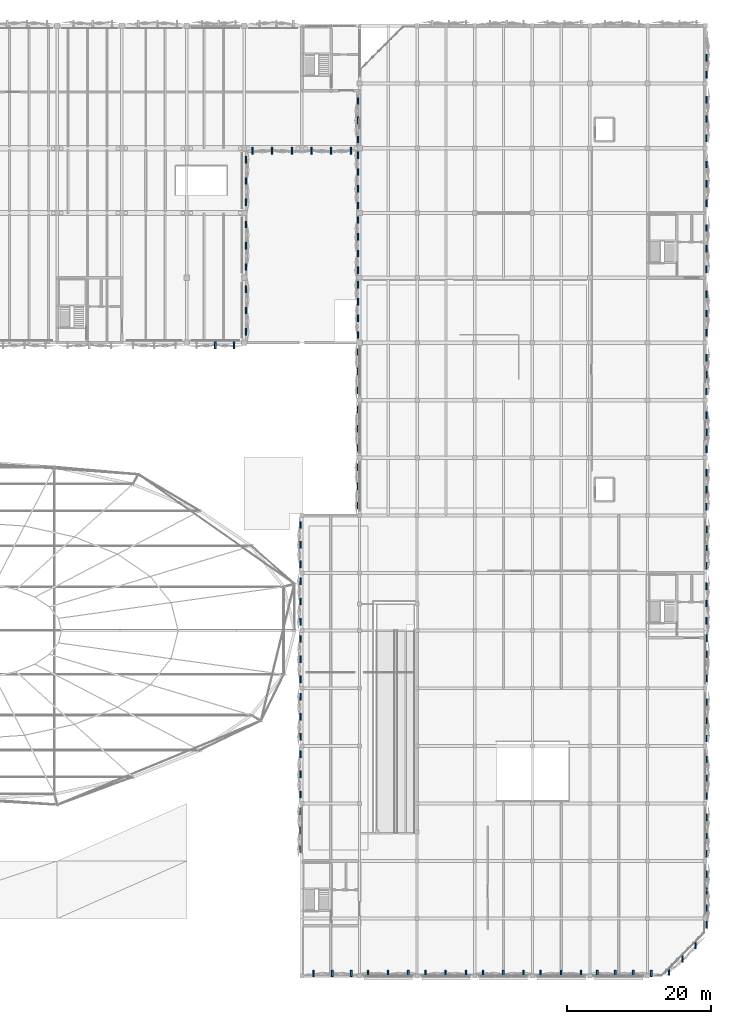
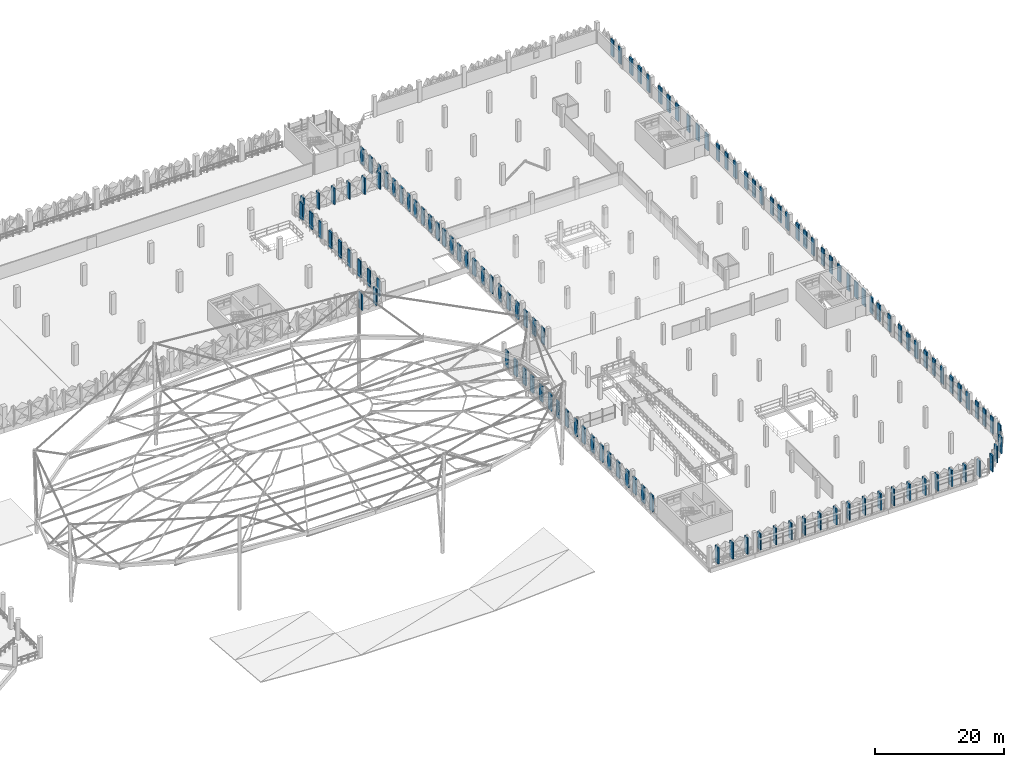
# One storey, part 59 of 96: 126 discrete accessories.
"""IFC4 building model written with IfcOpenShell, lengths in metres."""

from ifc_helpers import new_model, si_unit, derived_unit, direction, frame, origin, origin_2d, place, context, subcontext, project, spatial, rectangle, extrude, material, type_object, element, save


model = new_model("IFC4")

# Units and contexts
model_context = context("Model", 3, precision=1e-05, world=origin(), true_north=direction((0.0, 1.0)))
body_context = subcontext(model_context, "Body", "Model", "MODEL_VIEW")
ifc_project = project(units=[si_unit("LENGTHUNIT", "METRE"), si_unit("AREAUNIT", "SQUARE_METRE"), si_unit("VOLUMEUNIT", "CUBIC_METRE"), si_unit("PLANEANGLEUNIT", "RADIAN"), si_unit("MASSUNIT", "GRAM", prefix="KILO"), si_unit("THERMODYNAMICTEMPERATUREUNIT", "KELVIN"), derived_unit("THERMALTRANSMITTANCEUNIT", [(si_unit("POWERUNIT", "WATT"), 1), (si_unit("AREAUNIT", "SQUARE_METRE"), -1), (si_unit("THERMODYNAMICTEMPERATUREUNIT", "KELVIN"), -1)])], contexts=[model_context])

# Site, building, storey
site_placement = place(None, origin())
site = spatial("IfcSite", under=ifc_project, at=site_placement, CompositionType="ELEMENT")
building_placement = place(site_placement, origin())
building = spatial("IfcBuilding", under=site, at=building_placement, Name="Haiyu Intermodal Mobility Hub", CompositionType="ELEMENT")
storey_placement = place(building_placement, frame((0.0, 0.0, 9.5)))
storey = spatial("IfcBuildingStorey", under=building, at=storey_placement, Name="L02", CompositionType="ELEMENT", Elevation=9.5)

# Discrete accessories
ifc_material = material(Name="Steel Q355C", Category="steel")
discrete_accessory_type = type_object("IfcDiscreteAccessoryType", Name="ACC-BK02", PredefinedType="BRACKET", material=ifc_material)
for number, where, z_axis, x_axis, name in (
    (1, (146.199951171875, 105.512939453125, 0.050048828125), (0.0, 0.0, 1.0), (1.0, 0.0, 0.0), "BRK-PYR-0665"),
    (2, (146.199951171875, 108.4599609375, 0.050048828125), (0.0, 0.0, 1.0), (1.0, 0.0, 0.0), "BRK-PYR-0668"),
    (3, (146.199951171875, 111.406982421875, 0.050048828125), (0.0, 0.0, 1.0), (1.0, 0.0, 0.0), "BRK-PYR-0669"),
    (4, (146.199951171875, 114.512939453125, 0.050048828125), (0.0, 0.0, 1.0), (1.0, 0.0, 0.0), "BRK-PYR-0672"),
    (5, (146.199951171875, 117.4599609375, 0.050048828125), (0.0, 0.0, 1.0), (1.0, 0.0, 0.0), "BRK-PYR-0675"),
    (6, (146.199951171875, 120.406982421875, 0.050048828125), (0.0, 0.0, 1.0), (1.0, 0.0, 0.0), "BRK-PYR-0676"),
    (7, (146.199951171875, 123.512939453125, 0.050048828125), (0.0, 0.0, 1.0), (1.0, 0.0, 0.0), "BRK-PYR-0679"),
    (8, (146.199951171875, 126.4599609375, 0.050048828125), (0.0, 0.0, 1.0), (1.0, 0.0, 0.0), "BRK-PYR-0682"),
    (9, (146.199951171875, 129.406982421875, 0.050048828125), (0.0, 0.0, 1.0), (1.0, 0.0, 0.0), "BRK-PYR-0683"),
    (10, (141.9599609375, 103.659912109375, 0.050048828125), (0.0, 0.0, 1.0), (1.0, 0.0, 0.0), "BRK-PYR-0992"),
    (11, (144.572998046875, 103.659912109375, 0.050048828125), (0.0, 0.0, 1.0), (1.0, 0.0, 0.0), "BRK-PYR-0993"),
    (12, (210.199951171875, 81.212890625, 0.050048828125), (0.0, 0.0, 1.0), (1.0, 0.0, 0.0), "BRK-PYR-1108"),
    (13, (210.199951171875, 83.56005859375, 0.050048828125), (0.0, 0.0, 1.0), (1.0, 0.0, 0.0), "BRK-PYR-1111"),
    (14, (210.199951171875, 85.906982421875, 0.050048828125), (0.0, 0.0, 1.0), (1.0, 0.0, 0.0), "BRK-PYR-1112"),
    (15, (210.199951171875, 89.212890625, 0.050048828125), (0.0, 0.0, 1.0), (1.0, 0.0, 0.0), "BRK-PYR-1115"),
    (16, (210.199951171875, 91.56005859375, 0.050048828125), (0.0, 0.0, 1.0), (1.0, 0.0, 0.0), "BRK-PYR-1118"),
    (17, (210.199951171875, 93.906982421875, 0.050048828125), (0.0, 0.0, 1.0), (1.0, 0.0, 0.0), "BRK-PYR-1119"),
    (18, (210.199951171875, 97.212890625, 0.050048828125), (0.0, 0.0, 1.0), (1.0, 0.0, 0.0), "BRK-PYR-1122"),
    (19, (210.199951171875, 99.56005859375, 0.050048828125), (0.0, 0.0, 1.0), (1.0, 0.0, 0.0), "BRK-PYR-1125"),
    (20, (210.199951171875, 101.906982421875, 0.050048828125), (0.0, 0.0, 1.0), (1.0, 0.0, 0.0), "BRK-PYR-1126"),
    (21, (210.199951171875, 105.3798828125, 0.050048828125), (0.0, 0.0, 1.0), (1.0, 0.0, 0.0), "BRK-PYR-1129"),
    (22, (210.199951171875, 108.06005859375, 0.050048828125), (0.0, 0.0, 1.0), (1.0, 0.0, 0.0), "BRK-PYR-1132"),
    (23, (210.199951171875, 110.739990234375, 0.050048828125), (0.0, 0.0, 1.0), (1.0, 0.0, 0.0), "BRK-PYR-1133"),
    (24, (210.199951171875, 123.3798828125, 0.050048828125), (0.0, 0.0, 1.0), (1.0, 0.0, 0.0), "BRK-PYR-1136"),
    (25, (210.199951171875, 126.06005859375, 0.050048828125), (0.0, 0.0, 1.0), (1.0, 0.0, 0.0), "BRK-PYR-1139"),
    (26, (210.199951171875, 128.739990234375, 0.050048828125), (0.0, 0.0, 1.0), (1.0, 0.0, 0.0), "BRK-PYR-1140"),
    (27, (210.199951171875, 132.3798828125, 0.050048828125), (0.0, 0.0, 1.0), (1.0, 0.0, 0.0), "BRK-PYR-1143"),
    (28, (210.199951171875, 135.06005859375, 0.050048828125), (0.0, 0.0, 1.0), (1.0, 0.0, 0.0), "BRK-PYR-1146"),
    (29, (210.199951171875, 137.739990234375, 0.050048828125), (0.0, 0.0, 1.0), (1.0, 0.0, 0.0), "BRK-PYR-1147"),
    (30, (210.199951171875, 141.212890625, 0.050048828125), (0.0, 0.0, 1.0), (1.0, 0.0, 0.0), "BRK-PYR-1150"),
    (31, (210.199951171875, 143.56005859375, 0.050048828125), (0.0, 0.0, 1.0), (1.0, 0.0, 0.0), "BRK-PYR-1153"),
    (32, (210.199951171875, 62.9599609375, 0.050048828125), (0.0, 0.0, 1.0), (1.0, 0.0, 0.0), "BRK-PYR-1370"),
    (33, (210.199951171875, 65.360107421875, 0.050048828125), (0.0, 0.0, 1.0), (1.0, 0.0, 0.0), "BRK-PYR-1373"),
    (34, (210.199951171875, 67.760009765625, 0.050048828125), (0.0, 0.0, 1.0), (1.0, 0.0, 0.0), "BRK-PYR-1376"),
    (35, (210.199951171875, 70.159912109375, 0.050048828125), (0.0, 0.0, 1.0), (1.0, 0.0, 0.0), "BRK-PYR-1377"),
    (36, (210.199951171875, 114.193115234375, 0.050048828125), (0.0, 0.0, 1.0), (1.0, 0.0, 0.0), "BRK-PYR-1397"),
    (37, (210.199951171875, 117.06005859375, 0.050048828125), (0.0, 0.0, 1.0), (1.0, 0.0, 0.0), "BRK-PYR-1400"),
    (38, (210.199951171875, 119.927001953125, 0.050048828125), (0.0, 0.0, 1.0), (1.0, 0.0, 0.0), "BRK-PYR-1401"),
    (39, (204.9970703125, 16.614990234375, 0.050048828125), (0.0, 0.0, 1.0), (1.0, 0.0, 0.0), "BRK-PYR-1467"),
    (40, (206.830078125, 18.447998046875, 0.050048828125), (0.0, 0.0, 1.0), (1.0, 0.0, 0.0), "BRK-PYR-1470"),
    (41, (208.6640625, 20.281982421875, 0.050048828125), (0.0, 0.0, 1.0), (1.0, 0.0, 0.0), "BRK-PYR-1471"),
    (42, (155.576904296875, 16.3798828125, 0.050048828125), (0.0, 0.0, 1.0), (1.0, 0.0, 0.0), "BRK-PYR-1610"),
    (43, (158.2099609375, 16.3798828125, 0.050048828125), (0.0, 0.0, 1.0), (1.0, 0.0, 0.0), "BRK-PYR-1613"),
    (44, (160.843017578125, 16.3798828125, 0.050048828125), (0.0, 0.0, 1.0), (1.0, 0.0, 0.0), "BRK-PYR-1614"),
    (45, (163.159912109375, 16.3798828125, 0.050048828125), (0.0, 0.0, 1.0), (1.0, 0.0, 0.0), "BRK-PYR-1617"),
    (46, (165.9599609375, 16.3798828125, 0.050048828125), (0.0, 0.0, 1.0), (1.0, 0.0, 0.0), "BRK-PYR-1620"),
    (47, (168.760009765625, 16.3798828125, 0.050048828125), (0.0, 0.0, 1.0), (1.0, 0.0, 0.0), "BRK-PYR-1621"),
    (48, (171.159912109375, 16.3798828125, 0.050048828125), (0.0, 0.0, 1.0), (1.0, 0.0, 0.0), "BRK-PYR-1624"),
    (49, (173.9599609375, 16.3798828125, 0.050048828125), (0.0, 0.0, 1.0), (1.0, 0.0, 0.0), "BRK-PYR-1627"),
    (50, (176.760009765625, 16.3798828125, 0.050048828125), (0.0, 0.0, 1.0), (1.0, 0.0, 0.0), "BRK-PYR-1628"),
    (51, (179.159912109375, 16.3798828125, 0.050048828125), (0.0, 0.0, 1.0), (1.0, 0.0, 0.0), "BRK-PYR-1631"),
    (52, (181.9599609375, 16.3798828125, 0.050048828125), (0.0, 0.0, 1.0), (1.0, 0.0, 0.0), "BRK-PYR-1634"),
    (53, (184.760009765625, 16.3798828125, 0.050048828125), (0.0, 0.0, 1.0), (1.0, 0.0, 0.0), "BRK-PYR-1635"),
    (54, (187.159912109375, 16.3798828125, 0.050048828125), (0.0, 0.0, 1.0), (1.0, 0.0, 0.0), "BRK-PYR-1638"),
    (55, (189.9599609375, 16.3798828125, 0.050048828125), (0.0, 0.0, 1.0), (1.0, 0.0, 0.0), "BRK-PYR-1641"),
    (56, (192.760009765625, 16.3798828125, 0.050048828125), (0.0, 0.0, 1.0), (1.0, 0.0, 0.0), "BRK-PYR-1642"),
    (57, (195.010009765625, 16.3798828125, 0.050048828125), (0.0, 0.0, 1.0), (1.0, 0.0, 0.0), "BRK-PYR-1645"),
    (58, (197.510009765625, 16.3798828125, 0.050048828125), (0.0, 0.0, 1.0), (1.0, 0.0, 0.0), "BRK-PYR-1648"),
    (59, (200.010009765625, 16.3798828125, 0.050048828125), (0.0, 0.0, 1.0), (1.0, 0.0, 0.0), "BRK-PYR-1651"),
    (60, (202.510009765625, 16.3798828125, 0.050048828125), (0.0, 0.0, 1.0), (1.0, 0.0, 0.0), "BRK-PYR-1652"),
    (61, (210.199951171875, 23.135009765625, 0.050048828125), (0.0, 0.0, 1.0), (1.0, 0.0, 0.0), "BRK-PYR-1655"),
    (62, (210.199951171875, 25.485107421875, 0.050048828125), (0.0, 0.0, 1.0), (1.0, 0.0, 0.0), "BRK-PYR-1658"),
    (63, (210.199951171875, 27.8349609375, 0.050048828125), (0.0, 0.0, 1.0), (1.0, 0.0, 0.0), "BRK-PYR-1661"),
    (64, (210.199951171875, 30.18505859375, 0.050048828125), (0.0, 0.0, 1.0), (1.0, 0.0, 0.0), "BRK-PYR-1662"),
    (65, (210.199951171875, 33.027099609375, 0.050048828125), (0.0, 0.0, 1.0), (1.0, 0.0, 0.0), "BRK-PYR-1665"),
    (66, (210.199951171875, 35.56005859375, 0.050048828125), (0.0, 0.0, 1.0), (1.0, 0.0, 0.0), "BRK-PYR-1668"),
    (67, (210.199951171875, 38.093017578125, 0.050048828125), (0.0, 0.0, 1.0), (1.0, 0.0, 0.0), "BRK-PYR-1669"),
    (68, (210.199951171875, 41.027099609375, 0.050048828125), (0.0, 0.0, 1.0), (1.0, 0.0, 0.0), "BRK-PYR-1672"),
    (69, (210.199951171875, 43.56005859375, 0.050048828125), (0.0, 0.0, 1.0), (1.0, 0.0, 0.0), "BRK-PYR-1675"),
    (70, (210.199951171875, 46.093017578125, 0.050048828125), (0.0, 0.0, 1.0), (1.0, 0.0, 0.0), "BRK-PYR-1676"),
    (71, (210.199951171875, 49.027099609375, 0.050048828125), (0.0, 0.0, 1.0), (1.0, 0.0, 0.0), "BRK-PYR-1679"),
    (72, (210.199951171875, 51.56005859375, 0.050048828125), (0.0, 0.0, 1.0), (1.0, 0.0, 0.0), "BRK-PYR-1682"),
    (73, (210.199951171875, 54.093017578125, 0.050048828125), (0.0, 0.0, 1.0), (1.0, 0.0, 0.0), "BRK-PYR-1683"),
    (74, (210.199951171875, 57.409912109375, 0.050048828125), (0.0, 0.0, 1.0), (1.0, 0.0, 0.0), "BRK-PYR-1686"),
    (75, (210.199951171875, 60.7099609375, 0.050048828125), (0.0, 0.0, 1.0), (1.0, 0.0, 0.0), "BRK-PYR-1687"),
    (76, (210.199951171875, 73.027099609375, 0.050048828125), (0.0, 0.0, 1.0), (1.0, 0.0, 0.0), "BRK-PYR-1690"),
    (77, (210.199951171875, 75.56005859375, 0.050048828125), (0.0, 0.0, 1.0), (1.0, 0.0, 0.0), "BRK-PYR-1693"),
    (78, (210.199951171875, 78.093017578125, 0.050048828125), (0.0, 0.0, 1.0), (1.0, 0.0, 0.0), "BRK-PYR-1694"),
    (79, (153.800048828125, 38.923095703125, 0.050048828125), (0.0, 0.0, 1.0), (1.0, 0.0, 0.0), "BRK-PYR-1697"),
    (80, (153.800048828125, 36.2900390625, 0.050048828125), (0.0, 0.0, 1.0), (1.0, 0.0, 0.0), "BRK-PYR-1700"),
    (81, (153.800048828125, 33.656982421875, 0.050048828125), (0.0, 0.0, 1.0), (1.0, 0.0, 0.0), "BRK-PYR-1701"),
    (82, (153.800048828125, 46.840087890625, 0.050048828125), (0.0, 0.0, 1.0), (1.0, 0.0, 0.0), "BRK-PYR-1704"),
    (83, (153.800048828125, 44.0400390625, 0.050048828125), (0.0, 0.0, 1.0), (1.0, 0.0, 0.0), "BRK-PYR-1707"),
    (84, (153.800048828125, 41.239990234375, 0.050048828125), (0.0, 0.0, 1.0), (1.0, 0.0, 0.0), "BRK-PYR-1708"),
    (85, (153.800048828125, 54.840087890625, 0.050048828125), (0.0, 0.0, 1.0), (1.0, 0.0, 0.0), "BRK-PYR-1711"),
    (86, (153.800048828125, 52.0400390625, 0.050048828125), (0.0, 0.0, 1.0), (1.0, 0.0, 0.0), "BRK-PYR-1714"),
    (87, (153.800048828125, 49.239990234375, 0.050048828125), (0.0, 0.0, 1.0), (1.0, 0.0, 0.0), "BRK-PYR-1715"),
    (88, (153.800048828125, 62.840087890625, 0.050048828125), (0.0, 0.0, 1.0), (1.0, 0.0, 0.0), "BRK-PYR-1718"),
    (89, (153.800048828125, 60.0400390625, 0.050048828125), (0.0, 0.0, 1.0), (1.0, 0.0, 0.0), "BRK-PYR-1721"),
    (90, (153.800048828125, 57.239990234375, 0.050048828125), (0.0, 0.0, 1.0), (1.0, 0.0, 0.0), "BRK-PYR-1722"),
    (91, (153.800048828125, 70.840087890625, 0.050048828125), (0.0, 0.0, 1.0), (1.0, 0.0, 0.0), "BRK-PYR-1725"),
    (92, (153.800048828125, 68.0400390625, 0.050048828125), (0.0, 0.0, 1.0), (1.0, 0.0, 0.0), "BRK-PYR-1728"),
    (93, (153.800048828125, 65.239990234375, 0.050048828125), (0.0, 0.0, 1.0), (1.0, 0.0, 0.0), "BRK-PYR-1729"),
    (94, (153.800048828125, 78.673095703125, 0.050048828125), (0.0, 0.0, 1.0), (1.0, 0.0, 0.0), "BRK-PYR-1732"),
    (95, (153.800048828125, 75.93994140625, 0.050048828125), (0.0, 0.0, 1.0), (1.0, 0.0, 0.0), "BRK-PYR-1735"),
    (96, (153.800048828125, 73.20703125, 0.050048828125), (0.0, 0.0, 1.0), (1.0, 0.0, 0.0), "BRK-PYR-1736"),
    (97, (161.800048828125, 112.028076171875, 0.050048828125), (0.0, 0.0, 1.0), (1.0, 0.0, 0.0), "BRK-PYR-1910"),
    (98, (161.800048828125, 109.701904296875, 0.050048828125), (0.0, 0.0, 1.0), (1.0, 0.0, 0.0), "BRK-PYR-1913"),
    (99, (161.800048828125, 107.3779296875, 0.050048828125), (0.0, 0.0, 1.0), (1.0, 0.0, 0.0), "BRK-PYR-1916"),
    (100, (161.800048828125, 105.052001953125, 0.050048828125), (0.0, 0.0, 1.0), (1.0, 0.0, 0.0), "BRK-PYR-1917"),
    (101, (161.800048828125, 121.028076171875, 0.050048828125), (0.0, 0.0, 1.0), (1.0, 0.0, 0.0), "BRK-PYR-1920"),
    (102, (161.800048828125, 118.701904296875, 0.050048828125), (0.0, 0.0, 1.0), (1.0, 0.0, 0.0), "BRK-PYR-1923"),
    (103, (161.800048828125, 116.3779296875, 0.050048828125), (0.0, 0.0, 1.0), (1.0, 0.0, 0.0), "BRK-PYR-1926"),
    (104, (161.800048828125, 114.052001953125, 0.050048828125), (0.0, 0.0, 1.0), (1.0, 0.0, 0.0), "BRK-PYR-1927"),
    (105, (161.800048828125, 130.028076171875, 0.050048828125), (0.0, 0.0, 1.0), (1.0, 0.0, 0.0), "BRK-PYR-1930"),
    (106, (161.800048828125, 127.701904296875, 0.050048828125), (0.0, 0.0, 1.0), (1.0, 0.0, 0.0), "BRK-PYR-1933"),
    (107, (161.800048828125, 125.3779296875, 0.050048828125), (0.0, 0.0, 1.0), (1.0, 0.0, 0.0), "BRK-PYR-1936"),
    (108, (161.800048828125, 123.052001953125, 0.050048828125), (0.0, 0.0, 1.0), (1.0, 0.0, 0.0), "BRK-PYR-1937"),
    (109, (161.800048828125, 137.556884765625, 0.050048828125), (0.0, 0.0, 1.0), (1.0, 0.0, 0.0), "BRK-PYR-1940"),
    (110, (161.800048828125, 134.889892578125, 0.050048828125), (0.0, 0.0, 1.0), (1.0, 0.0, 0.0), "BRK-PYR-1943"),
    (111, (161.800048828125, 132.222900390625, 0.050048828125), (0.0, 0.0, 1.0), (1.0, 0.0, 0.0), "BRK-PYR-1944"),
    (112, (161.800048828125, 86.70703125, 0.050048828125), (0.0, 0.0, 1.0), (1.0, 0.0, 0.0), "BRK-PYR-2108"),
    (113, (161.800048828125, 84.0400390625, 0.050048828125), (0.0, 0.0, 1.0), (1.0, 0.0, 0.0), "BRK-PYR-2111"),
    (114, (161.800048828125, 81.373046875, 0.050048828125), (0.0, 0.0, 1.0), (1.0, 0.0, 0.0), "BRK-PYR-2112"),
    (115, (161.800048828125, 94.70703125, 0.050048828125), (0.0, 0.0, 1.0), (1.0, 0.0, 0.0), "BRK-PYR-2115"),
    (116, (161.800048828125, 92.0400390625, 0.050048828125), (0.0, 0.0, 1.0), (1.0, 0.0, 0.0), "BRK-PYR-2118"),
    (117, (161.800048828125, 89.373046875, 0.050048828125), (0.0, 0.0, 1.0), (1.0, 0.0, 0.0), "BRK-PYR-2119"),
    (118, (161.800048828125, 102.70703125, 0.050048828125), (0.0, 0.0, 1.0), (1.0, 0.0, 0.0), "BRK-PYR-2122"),
    (119, (161.800048828125, 100.0400390625, 0.050048828125), (0.0, 0.0, 1.0), (1.0, 0.0, 0.0), "BRK-PYR-2125"),
    (120, (161.800048828125, 97.373046875, 0.050048828125), (0.0, 0.0, 1.0), (1.0, 0.0, 0.0), "BRK-PYR-2126"),
    (121, (147.126953125, 130.659912109375, 0.050048828125), (0.0, 0.0, 1.0), (1.0, 0.0, 0.0), "BRK-PYR-2341"),
    (122, (149.860107421875, 130.659912109375, 0.050048828125), (0.0, 0.0, 1.0), (1.0, 0.0, 0.0), "BRK-PYR-2344"),
    (123, (152.593017578125, 130.659912109375, 0.050048828125), (0.0, 0.0, 1.0), (1.0, 0.0, 0.0), "BRK-PYR-2347"),
    (124, (155.326904296875, 130.659912109375, 0.050048828125), (0.0, 0.0, 1.0), (1.0, 0.0, 0.0), "BRK-PYR-2350"),
    (125, (158.06005859375, 130.659912109375, 0.050048828125), (0.0, 0.0, 1.0), (1.0, 0.0, 0.0), "BRK-PYR-2353"),
    (126, (160.79296875, 130.659912109375, 0.050048828125), (0.0, 0.0, 1.0), (1.0, 0.0, 0.0), "BRK-PYR-2354"),
):
    element("IfcDiscreteAccessory", number, at=place(storey_placement, frame(where, z_axis=z_axis, x_axis=x_axis)), inside=storey, type_object=discrete_accessory_type, Name=name, PredefinedType="BRACKET", context=body_context, shape_type="SweptSolid", body=[
        extrude(rectangle(XDim=0.219970703125, YDim=0.949951171875, at=origin_2d()), origin(), (0.0, 0.0, 1.0), 3.10009765625),
    ])

save(model, "model.ifc")
